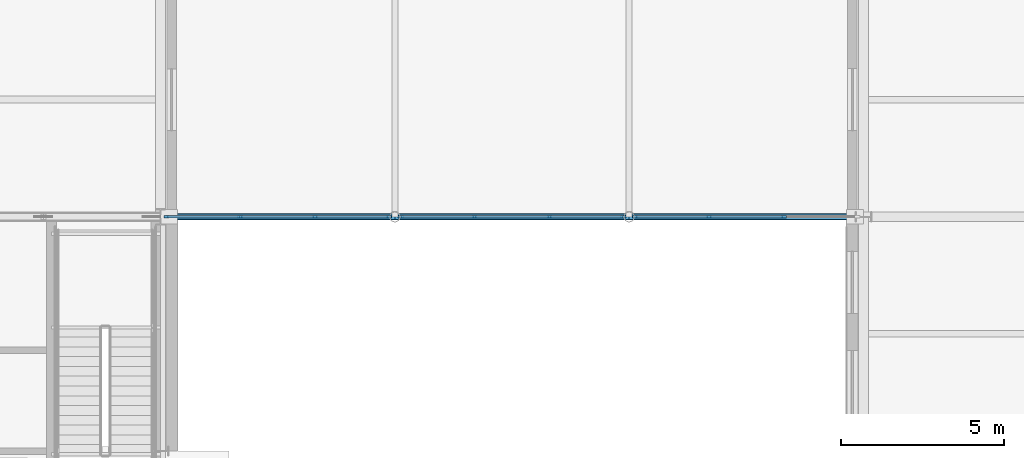
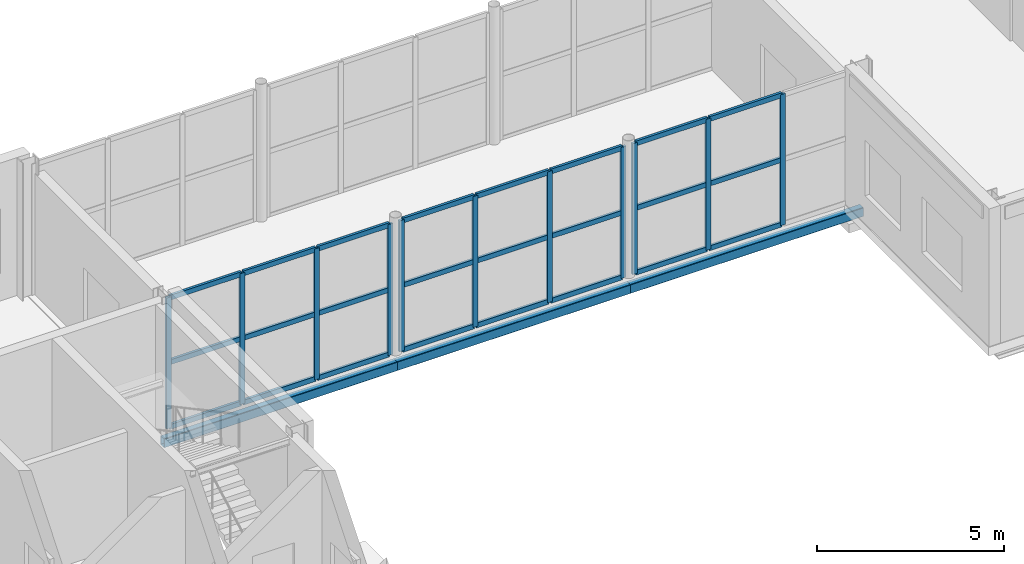
# One storey, part 27 of 92: 35 members, 3 beams, 3 elements without a shape of their own.
"""IFC4 building model written with IfcOpenShell, lengths in metres."""

from ifc_helpers import new_model, si_unit, direction, frame, origin, origin_2d, place, context, subcontext, project, spatial, rectangle, hollow_rectangle, extrude, material, material_profile, profile_set, type_object, element, aggregate, save


model = new_model("IFC4")

# Units and contexts
model_context = context("Model", 3, precision=1e-05, world=origin(), true_north=direction((0.0, 1.0)))
body_context = subcontext(model_context, "Body", "Model", "MODEL_VIEW")
ifc_project = project(units=[si_unit("LENGTHUNIT", "METRE"), si_unit("AREAUNIT", "SQUARE_METRE"), si_unit("VOLUMEUNIT", "CUBIC_METRE"), si_unit("PLANEANGLEUNIT", "RADIAN"), si_unit("MASSUNIT", "GRAM", prefix="KILO")], contexts=[model_context])

# Site, building, storey
site_placement = place(None, origin())
site = spatial("IfcSite", under=ifc_project, at=site_placement, CompositionType="ELEMENT")
building_placement = place(site_placement, origin())
building = spatial("IfcBuilding", under=site, at=building_placement, Name="Zlatovets Crest Museum", CompositionType="ELEMENT")
storey_placement = place(building_placement, origin())
storey = spatial("IfcBuildingStorey", under=building, at=storey_placement, Name="L00", CompositionType="ELEMENT", Elevation=0.0)

# Beams
ifc_material_1 = material(Name="Structural steel S355J2", Category="steel")
ifc_material_profile_1 = material_profile(ifc_material_1, hollow_rectangle(XDim=0.199951171875, YDim=0.300048828125, WallThickness=0.012451171875, InnerFilletRadius=0.012451171875, OuterFilletRadius=0.02490234375, at=origin_2d()), Name="RHS 200x300x12.5")
ifc_profile_set_1 = profile_set([ifc_material_profile_1], Name="Structural steel S355J2")
beam_type = type_object("IfcBeamType", Name="Beam_BRG-01", PredefinedType="BEAM", material=ifc_profile_set_1)
for number, where, z_axis, x_axis, name in (
    (1, (108.0, 21.60009765625, -0.39990234375), (1.0, 0.0, 0.0), (0.0, 1.0, 0.0), "Southeast Archive Glazed Link Bridge L00 Stringer Beam"),
    (2, (115.199951171875, 21.60009765625, -0.39990234375), (1.0, 0.0, 0.0), (0.0, 1.0, 0.0), "Southeast Archive Glazed Link Bridge L00 Stringer Beam"),
):
    element("IfcBeam", number, at=place(storey_placement, frame(where, z_axis=z_axis, x_axis=x_axis)), inside=storey, type_object=beam_type, Name=name, PredefinedType="BEAM", context=body_context, shape_type="SweptSolid", body=[
        extrude(hollow_rectangle(XDim=0.199951171875, YDim=0.300048828125, WallThickness=0.012451171875, InnerFilletRadius=0.012451171875, OuterFilletRadius=0.02490234375, at=origin_2d()), origin(), (0.0, 0.0, 1.0), 7.199951171875),
    ])
beam_placement = place(storey_placement, frame((122.39990234375, 21.60009765625, -0.39990234375), z_axis=(1.0, 0.0, 0.0), x_axis=(0.0, 1.0, 0.0)))
element("IfcBeam", 3, at=beam_placement, inside=storey, type_object=beam_type, Name="Southeast Archive Glazed Link Bridge L00 Stringer Beam", PredefinedType="BEAM", context=body_context, shape_type="SweptSolid", body=[
    extrude(hollow_rectangle(XDim=0.199951171875, YDim=0.300048828125, WallThickness=0.012451171875, InnerFilletRadius=0.012451171875, OuterFilletRadius=0.02490234375, at=origin_2d()), origin(), (0.0, 0.0, 1.0), 7.2001953125),
])

# Curtain wall, members
ifc_material_2 = material(Name="Bronze-anodised aluminium and low-E triple glass", Category="aluminium")
curtain_wall_type = type_object("IfcCurtainWallType", Name="CW_CW-BR4-L00-S69", PredefinedType="NOTDEFINED", material=ifc_material_2)
curtain_wall_1_placement = place(storey_placement, origin())
curtain_wall_1 = element("IfcCurtainWall", 4, at=curtain_wall_1_placement, inside=storey, type_object=curtain_wall_type, Name="Southeast Archive Glazed Link Bridge L00 Glazed Bridge Curtain Wall", PredefinedType="NOTDEFINED")
ifc_material_3 = material(Name="Bronze-anodised aluminium EN AW-6060", Category="aluminium")
ifc_material_profile_2 = material_profile(ifc_material_3, rectangle(XDim=0.080078125, YDim=0.159912109375, at=origin_2d()), Name="ALU 80x160")
ifc_profile_set_2 = profile_set([ifc_material_profile_2], Name="Bronze-anodised aluminium EN AW-6060")
member_type_1 = type_object("IfcMemberType", Name="CWMull_M1", PredefinedType="MULLION", material=ifc_profile_set_2)
member_1_placement = place(storey_placement, frame((108.179931640625, 21.60009765625, 0.0), z_axis=(0.0, 0.0, 1.0), x_axis=(0.0, 1.0, 0.0)))
member_1 = element("IfcMember", 5, at=member_1_placement, type_object=member_type_1, Name="CW-BR4-L00-S69 mullion 1", PredefinedType="MULLION", context=body_context, shape_type="SweptSolid", body=[
    extrude(rectangle(XDim=0.080078125, YDim=0.159912109375, at=origin_2d()), origin(), (0.0, 0.0, 1.0), 4.280029296875),
])
member_2_placement = place(storey_placement, frame((110.449951171875, 21.60009765625, 0.0), z_axis=(0.0, 0.0, 1.0), x_axis=(0.0, 1.0, 0.0)))
member_2 = element("IfcMember", 6, at=member_2_placement, type_object=member_type_1, Name="CW-BR4-L00-S69 mullion 2", PredefinedType="MULLION", context=body_context, shape_type="SweptSolid", body=[
    extrude(rectangle(XDim=0.080078125, YDim=0.159912109375, at=origin_2d()), origin(), (0.0, 0.0, 1.0), 4.280029296875),
])
member_3_placement = place(storey_placement, frame((112.75, 21.60009765625, 0.0), z_axis=(0.0, 0.0, 1.0), x_axis=(0.0, 1.0, 0.0)))
member_3 = element("IfcMember", 7, at=member_3_placement, type_object=member_type_1, Name="CW-BR4-L00-S69 mullion 3", PredefinedType="MULLION", context=body_context, shape_type="SweptSolid", body=[
    extrude(rectangle(XDim=0.080078125, YDim=0.159912109375, at=origin_2d()), origin(), (0.0, 0.0, 1.0), 4.280029296875),
])
member_4_placement = place(storey_placement, frame((115.02001953125, 21.60009765625, 0.0), z_axis=(0.0, 0.0, 1.0), x_axis=(0.0, 1.0, 0.0)))
member_4 = element("IfcMember", 8, at=member_4_placement, type_object=member_type_1, Name="CW-BR4-L00-S69 mullion 4", PredefinedType="MULLION", context=body_context, shape_type="SweptSolid", body=[
    extrude(rectangle(XDim=0.080078125, YDim=0.159912109375, at=origin_2d()), origin(), (0.0, 0.0, 1.0), 4.280029296875),
])

curtain_wall_2_placement = place(storey_placement, origin())
curtain_wall_2 = element("IfcCurtainWall", 9, at=curtain_wall_2_placement, inside=storey, type_object=curtain_wall_type, Name="Southeast Archive Glazed Link Bridge L00 Glazed Bridge Curtain Wall", PredefinedType="NOTDEFINED")
member_5_placement = place(storey_placement, frame((115.3798828125, 21.60009765625, 0.0), z_axis=(0.0, 0.0, 1.0), x_axis=(0.0, 1.0, 0.0)))
member_5 = element("IfcMember", 10, at=member_5_placement, type_object=member_type_1, Name="CW-BR4-L00-S69 mullion 1", PredefinedType="MULLION", context=body_context, shape_type="SweptSolid", body=[
    extrude(rectangle(XDim=0.080078125, YDim=0.159912109375, at=origin_2d()), origin(), (0.0, 0.0, 1.0), 4.280029296875),
])
member_6_placement = place(storey_placement, frame((117.64990234375, 21.60009765625, 0.0), z_axis=(0.0, 0.0, 1.0), x_axis=(0.0, 1.0, 0.0)))
member_6 = element("IfcMember", 11, at=member_6_placement, type_object=member_type_1, Name="CW-BR4-L00-S69 mullion 2", PredefinedType="MULLION", context=body_context, shape_type="SweptSolid", body=[
    extrude(rectangle(XDim=0.080078125, YDim=0.159912109375, at=origin_2d()), origin(), (0.0, 0.0, 1.0), 4.280029296875),
])
member_7_placement = place(storey_placement, frame((119.949951171875, 21.60009765625, 0.0), z_axis=(0.0, 0.0, 1.0), x_axis=(0.0, 1.0, 0.0)))
member_7 = element("IfcMember", 12, at=member_7_placement, type_object=member_type_1, Name="CW-BR4-L00-S69 mullion 3", PredefinedType="MULLION", context=body_context, shape_type="SweptSolid", body=[
    extrude(rectangle(XDim=0.080078125, YDim=0.159912109375, at=origin_2d()), origin(), (0.0, 0.0, 1.0), 4.280029296875),
])
member_8_placement = place(storey_placement, frame((122.219970703125, 21.60009765625, 0.0), z_axis=(0.0, 0.0, 1.0), x_axis=(0.0, 1.0, 0.0)))
member_8 = element("IfcMember", 13, at=member_8_placement, type_object=member_type_1, Name="CW-BR4-L00-S69 mullion 4", PredefinedType="MULLION", context=body_context, shape_type="SweptSolid", body=[
    extrude(rectangle(XDim=0.080078125, YDim=0.159912109375, at=origin_2d()), origin(), (0.0, 0.0, 1.0), 4.280029296875),
])

curtain_wall_3_placement = place(storey_placement, origin())
curtain_wall_3 = element("IfcCurtainWall", 14, at=curtain_wall_3_placement, inside=storey, type_object=curtain_wall_type, Name="Southeast Archive Glazed Link Bridge L00 Glazed Bridge Curtain Wall", PredefinedType="NOTDEFINED")
member_9_placement = place(storey_placement, frame((122.580078125, 21.60009765625, 0.0), z_axis=(0.0, 0.0, 1.0), x_axis=(0.0, 1.0, 0.0)))
member_9 = element("IfcMember", 15, at=member_9_placement, type_object=member_type_1, Name="CW-BR4-L00-S69 mullion 1", PredefinedType="MULLION", context=body_context, shape_type="SweptSolid", body=[
    extrude(rectangle(XDim=0.080078125, YDim=0.159912109375, at=origin_2d()), origin(), (0.0, 0.0, 1.0), 4.280029296875),
])
member_10_placement = place(storey_placement, frame((124.85009765625, 21.60009765625, 0.0), z_axis=(0.0, 0.0, 1.0), x_axis=(0.0, 1.0, 0.0)))
member_10 = element("IfcMember", 16, at=member_10_placement, type_object=member_type_1, Name="CW-BR4-L00-S69 mullion 2", PredefinedType="MULLION", context=body_context, shape_type="SweptSolid", body=[
    extrude(rectangle(XDim=0.080078125, YDim=0.159912109375, at=origin_2d()), origin(), (0.0, 0.0, 1.0), 4.280029296875),
])
member_11_placement = place(storey_placement, frame((127.14990234375, 21.60009765625, 0.0), z_axis=(0.0, 0.0, 1.0), x_axis=(0.0, 1.0, 0.0)))
member_11 = element("IfcMember", 17, at=member_11_placement, type_object=member_type_1, Name="CW-BR4-L00-S69 mullion 3", PredefinedType="MULLION", context=body_context, shape_type="SweptSolid", body=[
    extrude(rectangle(XDim=0.080078125, YDim=0.159912109375, at=origin_2d()), origin(), (0.0, 0.0, 1.0), 4.280029296875),
])

# Member
ifc_material_profile_3 = material_profile(ifc_material_3, rectangle(XDim=0.080078125, YDim=0.159912109375, at=origin_2d()), Name="ALU 80x160")
ifc_profile_set_3 = profile_set([ifc_material_profile_3], Name="Bronze-anodised aluminium EN AW-6060")
member_type_2 = type_object("IfcMemberType", Name="CWTrans_T1", PredefinedType="USERDEFINED", material=ifc_profile_set_3)
member_12_placement = place(storey_placement, frame((108.2099609375, 21.60009765625, 0.030029296875), z_axis=(1.0, 0.0, 0.0), x_axis=(0.0, 1.0, 0.0)))
member_12 = element("IfcMember", 18, at=member_12_placement, type_object=member_type_2, Name="CW-BR4-L00-S69 transom 1.1", ObjectType="TRANSOM", PredefinedType="USERDEFINED", context=body_context, shape_type="SweptSolid", body=[
    extrude(rectangle(XDim=0.080078125, YDim=0.159912109375, at=origin_2d()), origin(), (0.0, 0.0, 1.0), 2.2099609375),
])

member_13_placement = place(storey_placement, frame((108.2099609375, 21.60009765625, 2.139892578125), z_axis=(1.0, 0.0, 0.0), x_axis=(0.0, 1.0, 0.0)))
member_13 = element("IfcMember", 19, at=member_13_placement, type_object=member_type_2, Name="CW-BR4-L00-S69 transom 1.2", ObjectType="TRANSOM", PredefinedType="USERDEFINED", context=body_context, shape_type="SweptSolid", body=[
    extrude(rectangle(XDim=0.080078125, YDim=0.159912109375, at=origin_2d()), origin(), (0.0, 0.0, 1.0), 2.2099609375),
])

member_14_placement = place(storey_placement, frame((108.2099609375, 21.60009765625, 4.25), z_axis=(1.0, 0.0, 0.0), x_axis=(0.0, 1.0, 0.0)))
member_14 = element("IfcMember", 20, at=member_14_placement, type_object=member_type_2, Name="CW-BR4-L00-S69 transom 1.3", ObjectType="TRANSOM", PredefinedType="USERDEFINED", context=body_context, shape_type="SweptSolid", body=[
    extrude(rectangle(XDim=0.080078125, YDim=0.159912109375, at=origin_2d()), origin(), (0.0, 0.0, 1.0), 2.2099609375),
])

member_15_placement = place(storey_placement, frame((110.47998046875, 21.60009765625, 0.030029296875), z_axis=(1.0, 0.0, 0.0), x_axis=(0.0, 1.0, 0.0)))
member_15 = element("IfcMember", 21, at=member_15_placement, type_object=member_type_2, Name="CW-BR4-L00-S69 transom 2.1", ObjectType="TRANSOM", PredefinedType="USERDEFINED", context=body_context, shape_type="SweptSolid", body=[
    extrude(rectangle(XDim=0.080078125, YDim=0.159912109375, at=origin_2d()), origin(), (0.0, 0.0, 1.0), 2.239990234375),
])

member_16_placement = place(storey_placement, frame((110.47998046875, 21.60009765625, 2.139892578125), z_axis=(1.0, 0.0, 0.0), x_axis=(0.0, 1.0, 0.0)))
member_16 = element("IfcMember", 22, at=member_16_placement, type_object=member_type_2, Name="CW-BR4-L00-S69 transom 2.2", ObjectType="TRANSOM", PredefinedType="USERDEFINED", context=body_context, shape_type="SweptSolid", body=[
    extrude(rectangle(XDim=0.080078125, YDim=0.159912109375, at=origin_2d()), origin(), (0.0, 0.0, 1.0), 2.239990234375),
])

member_17_placement = place(storey_placement, frame((110.47998046875, 21.60009765625, 4.25), z_axis=(1.0, 0.0, 0.0), x_axis=(0.0, 1.0, 0.0)))
member_17 = element("IfcMember", 23, at=member_17_placement, type_object=member_type_2, Name="CW-BR4-L00-S69 transom 2.3", ObjectType="TRANSOM", PredefinedType="USERDEFINED", context=body_context, shape_type="SweptSolid", body=[
    extrude(rectangle(XDim=0.080078125, YDim=0.159912109375, at=origin_2d()), origin(), (0.0, 0.0, 1.0), 2.239990234375),
])

member_18_placement = place(storey_placement, frame((112.780029296875, 21.60009765625, 0.030029296875), z_axis=(1.0, 0.0, 0.0), x_axis=(0.0, 1.0, 0.0)))
member_18 = element("IfcMember", 24, at=member_18_placement, type_object=member_type_2, Name="CW-BR4-L00-S69 transom 3.1", ObjectType="TRANSOM", PredefinedType="USERDEFINED", context=body_context, shape_type="SweptSolid", body=[
    extrude(rectangle(XDim=0.080078125, YDim=0.159912109375, at=origin_2d()), origin(), (0.0, 0.0, 1.0), 2.2099609375),
])

member_19_placement = place(storey_placement, frame((112.780029296875, 21.60009765625, 2.139892578125), z_axis=(1.0, 0.0, 0.0), x_axis=(0.0, 1.0, 0.0)))
member_19 = element("IfcMember", 25, at=member_19_placement, type_object=member_type_2, Name="CW-BR4-L00-S69 transom 3.2", ObjectType="TRANSOM", PredefinedType="USERDEFINED", context=body_context, shape_type="SweptSolid", body=[
    extrude(rectangle(XDim=0.080078125, YDim=0.159912109375, at=origin_2d()), origin(), (0.0, 0.0, 1.0), 2.2099609375),
])

member_20_placement = place(storey_placement, frame((112.780029296875, 21.60009765625, 4.25), z_axis=(1.0, 0.0, 0.0), x_axis=(0.0, 1.0, 0.0)))
member_20 = element("IfcMember", 26, at=member_20_placement, type_object=member_type_2, Name="CW-BR4-L00-S69 transom 3.3", ObjectType="TRANSOM", PredefinedType="USERDEFINED", context=body_context, shape_type="SweptSolid", body=[
    extrude(rectangle(XDim=0.080078125, YDim=0.159912109375, at=origin_2d()), origin(), (0.0, 0.0, 1.0), 2.2099609375),
])

aggregate(curtain_wall_1, [member_1, member_2, member_3, member_4, member_12, member_13, member_14, member_15, member_16, member_17, member_18, member_19, member_20])

member_21_placement = place(storey_placement, frame((115.409912109375, 21.60009765625, 0.030029296875), z_axis=(1.0, 0.0, 0.0), x_axis=(0.0, 1.0, 0.0)))
member_21 = element("IfcMember", 27, at=member_21_placement, type_object=member_type_2, Name="CW-BR4-L00-S69 transom 1.1", ObjectType="TRANSOM", PredefinedType="USERDEFINED", context=body_context, shape_type="SweptSolid", body=[
    extrude(rectangle(XDim=0.080078125, YDim=0.159912109375, at=origin_2d()), origin(), (0.0, 0.0, 1.0), 2.210205078125),
])

member_22_placement = place(storey_placement, frame((115.409912109375, 21.60009765625, 2.139892578125), z_axis=(1.0, 0.0, 0.0), x_axis=(0.0, 1.0, 0.0)))
member_22 = element("IfcMember", 28, at=member_22_placement, type_object=member_type_2, Name="CW-BR4-L00-S69 transom 1.2", ObjectType="TRANSOM", PredefinedType="USERDEFINED", context=body_context, shape_type="SweptSolid", body=[
    extrude(rectangle(XDim=0.080078125, YDim=0.159912109375, at=origin_2d()), origin(), (0.0, 0.0, 1.0), 2.210205078125),
])

member_23_placement = place(storey_placement, frame((115.409912109375, 21.60009765625, 4.25), z_axis=(1.0, 0.0, 0.0), x_axis=(0.0, 1.0, 0.0)))
member_23 = element("IfcMember", 29, at=member_23_placement, type_object=member_type_2, Name="CW-BR4-L00-S69 transom 1.3", ObjectType="TRANSOM", PredefinedType="USERDEFINED", context=body_context, shape_type="SweptSolid", body=[
    extrude(rectangle(XDim=0.080078125, YDim=0.159912109375, at=origin_2d()), origin(), (0.0, 0.0, 1.0), 2.210205078125),
])

member_24_placement = place(storey_placement, frame((117.679931640625, 21.60009765625, 0.030029296875), z_axis=(1.0, 0.0, 0.0), x_axis=(0.0, 1.0, 0.0)))
member_24 = element("IfcMember", 30, at=member_24_placement, type_object=member_type_2, Name="CW-BR4-L00-S69 transom 2.1", ObjectType="TRANSOM", PredefinedType="USERDEFINED", context=body_context, shape_type="SweptSolid", body=[
    extrude(rectangle(XDim=0.080078125, YDim=0.159912109375, at=origin_2d()), origin(), (0.0, 0.0, 1.0), 2.239990234375),
])

member_25_placement = place(storey_placement, frame((117.679931640625, 21.60009765625, 2.139892578125), z_axis=(1.0, 0.0, 0.0), x_axis=(0.0, 1.0, 0.0)))
member_25 = element("IfcMember", 31, at=member_25_placement, type_object=member_type_2, Name="CW-BR4-L00-S69 transom 2.2", ObjectType="TRANSOM", PredefinedType="USERDEFINED", context=body_context, shape_type="SweptSolid", body=[
    extrude(rectangle(XDim=0.080078125, YDim=0.159912109375, at=origin_2d()), origin(), (0.0, 0.0, 1.0), 2.239990234375),
])

member_26_placement = place(storey_placement, frame((117.679931640625, 21.60009765625, 4.25), z_axis=(1.0, 0.0, 0.0), x_axis=(0.0, 1.0, 0.0)))
member_26 = element("IfcMember", 32, at=member_26_placement, type_object=member_type_2, Name="CW-BR4-L00-S69 transom 2.3", ObjectType="TRANSOM", PredefinedType="USERDEFINED", context=body_context, shape_type="SweptSolid", body=[
    extrude(rectangle(XDim=0.080078125, YDim=0.159912109375, at=origin_2d()), origin(), (0.0, 0.0, 1.0), 2.239990234375),
])

member_27_placement = place(storey_placement, frame((119.97998046875, 21.60009765625, 0.030029296875), z_axis=(1.0, 0.0, 0.0), x_axis=(0.0, 1.0, 0.0)))
member_27 = element("IfcMember", 33, at=member_27_placement, type_object=member_type_2, Name="CW-BR4-L00-S69 transom 3.1", ObjectType="TRANSOM", PredefinedType="USERDEFINED", context=body_context, shape_type="SweptSolid", body=[
    extrude(rectangle(XDim=0.080078125, YDim=0.159912109375, at=origin_2d()), origin(), (0.0, 0.0, 1.0), 2.2099609375),
])

member_28_placement = place(storey_placement, frame((119.97998046875, 21.60009765625, 2.139892578125), z_axis=(1.0, 0.0, 0.0), x_axis=(0.0, 1.0, 0.0)))
member_28 = element("IfcMember", 34, at=member_28_placement, type_object=member_type_2, Name="CW-BR4-L00-S69 transom 3.2", ObjectType="TRANSOM", PredefinedType="USERDEFINED", context=body_context, shape_type="SweptSolid", body=[
    extrude(rectangle(XDim=0.080078125, YDim=0.159912109375, at=origin_2d()), origin(), (0.0, 0.0, 1.0), 2.2099609375),
])

member_29_placement = place(storey_placement, frame((119.97998046875, 21.60009765625, 4.25), z_axis=(1.0, 0.0, 0.0), x_axis=(0.0, 1.0, 0.0)))
member_29 = element("IfcMember", 35, at=member_29_placement, type_object=member_type_2, Name="CW-BR4-L00-S69 transom 3.3", ObjectType="TRANSOM", PredefinedType="USERDEFINED", context=body_context, shape_type="SweptSolid", body=[
    extrude(rectangle(XDim=0.080078125, YDim=0.159912109375, at=origin_2d()), origin(), (0.0, 0.0, 1.0), 2.2099609375),
])

aggregate(curtain_wall_2, [member_5, member_6, member_7, member_8, member_21, member_22, member_23, member_24, member_25, member_26, member_27, member_28, member_29])

member_30_placement = place(storey_placement, frame((122.610107421875, 21.60009765625, 0.030029296875), z_axis=(1.0, 0.0, 0.0), x_axis=(0.0, 1.0, 0.0)))
member_30 = element("IfcMember", 36, at=member_30_placement, type_object=member_type_2, Name="CW-BR4-L00-S69 transom 1.1", ObjectType="TRANSOM", PredefinedType="USERDEFINED", context=body_context, shape_type="SweptSolid", body=[
    extrude(rectangle(XDim=0.080078125, YDim=0.159912109375, at=origin_2d()), origin(), (0.0, 0.0, 1.0), 2.2099609375),
])

member_31_placement = place(storey_placement, frame((122.610107421875, 21.60009765625, 2.139892578125), z_axis=(1.0, 0.0, 0.0), x_axis=(0.0, 1.0, 0.0)))
member_31 = element("IfcMember", 37, at=member_31_placement, type_object=member_type_2, Name="CW-BR4-L00-S69 transom 1.2", ObjectType="TRANSOM", PredefinedType="USERDEFINED", context=body_context, shape_type="SweptSolid", body=[
    extrude(rectangle(XDim=0.080078125, YDim=0.159912109375, at=origin_2d()), origin(), (0.0, 0.0, 1.0), 2.2099609375),
])

member_32_placement = place(storey_placement, frame((122.610107421875, 21.60009765625, 4.25), z_axis=(1.0, 0.0, 0.0), x_axis=(0.0, 1.0, 0.0)))
member_32 = element("IfcMember", 38, at=member_32_placement, type_object=member_type_2, Name="CW-BR4-L00-S69 transom 1.3", ObjectType="TRANSOM", PredefinedType="USERDEFINED", context=body_context, shape_type="SweptSolid", body=[
    extrude(rectangle(XDim=0.080078125, YDim=0.159912109375, at=origin_2d()), origin(), (0.0, 0.0, 1.0), 2.2099609375),
])

member_33_placement = place(storey_placement, frame((124.8798828125, 21.60009765625, 0.030029296875), z_axis=(1.0, 0.0, 0.0), x_axis=(0.0, 1.0, 0.0)))
member_33 = element("IfcMember", 39, at=member_33_placement, type_object=member_type_2, Name="CW-BR4-L00-S69 transom 2.1", ObjectType="TRANSOM", PredefinedType="USERDEFINED", context=body_context, shape_type="SweptSolid", body=[
    extrude(rectangle(XDim=0.080078125, YDim=0.159912109375, at=origin_2d()), origin(), (0.0, 0.0, 1.0), 2.240234375),
])

member_34_placement = place(storey_placement, frame((124.8798828125, 21.60009765625, 2.139892578125), z_axis=(1.0, 0.0, 0.0), x_axis=(0.0, 1.0, 0.0)))
member_34 = element("IfcMember", 40, at=member_34_placement, type_object=member_type_2, Name="CW-BR4-L00-S69 transom 2.2", ObjectType="TRANSOM", PredefinedType="USERDEFINED", context=body_context, shape_type="SweptSolid", body=[
    extrude(rectangle(XDim=0.080078125, YDim=0.159912109375, at=origin_2d()), origin(), (0.0, 0.0, 1.0), 2.240234375),
])

member_35_placement = place(storey_placement, frame((124.8798828125, 21.60009765625, 4.25), z_axis=(1.0, 0.0, 0.0), x_axis=(0.0, 1.0, 0.0)))
member_35 = element("IfcMember", 41, at=member_35_placement, type_object=member_type_2, Name="CW-BR4-L00-S69 transom 2.3", ObjectType="TRANSOM", PredefinedType="USERDEFINED", context=body_context, shape_type="SweptSolid", body=[
    extrude(rectangle(XDim=0.080078125, YDim=0.159912109375, at=origin_2d()), origin(), (0.0, 0.0, 1.0), 2.240234375),
])

aggregate(curtain_wall_3, [member_9, member_10, member_11, member_30, member_31, member_32, member_33, member_34, member_35])

save(model, "model.ifc")
